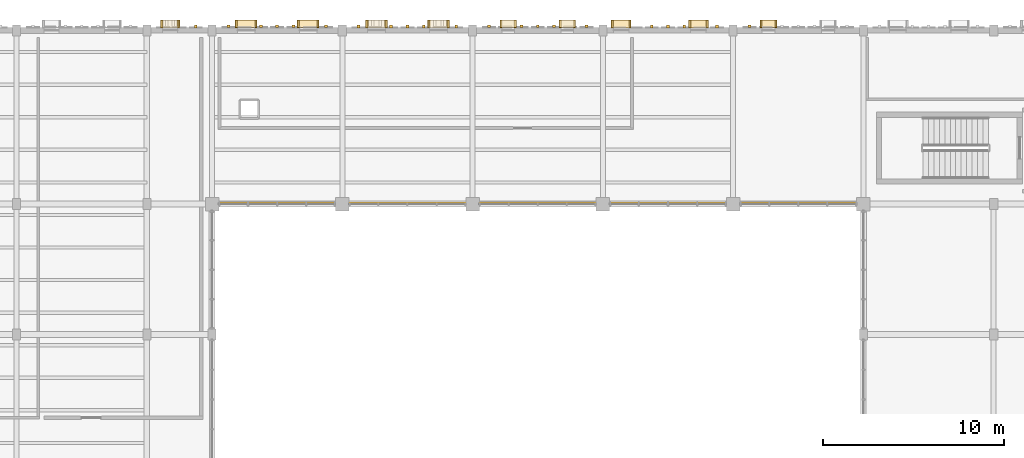
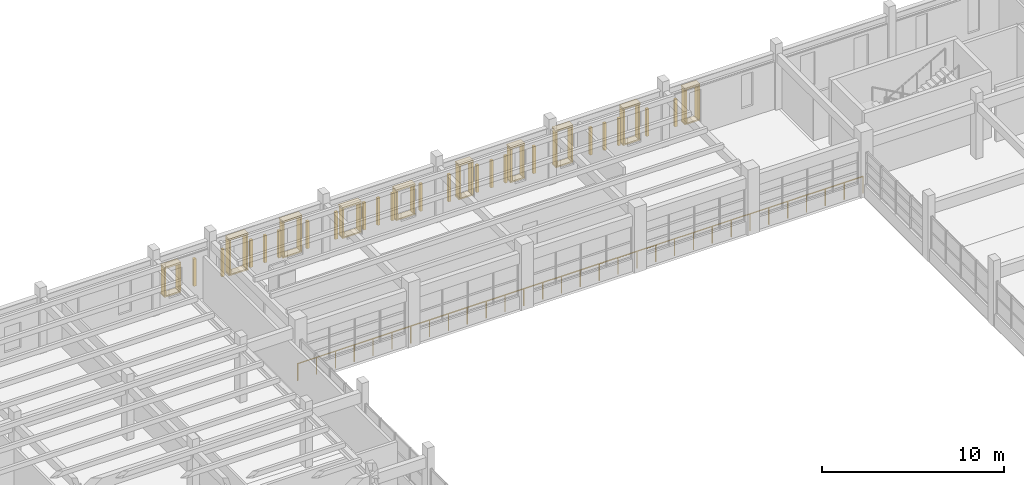
# One storey, part 56 of 69: 61 coverings, 1 railing.
"""IFC4 building model written with IfcOpenShell, lengths in metres."""

from ifc_helpers import new_model, si_unit, direction, frame, origin, origin_2d, place, context, subcontext, project, spatial, rectangle, circle, extrude, material, layer, layer_set, type_object, element, save


model = new_model("IFC4")

# Units and contexts
model_context = context("Model", 3, precision=1e-05, world=origin(), true_north=direction((0.0, 1.0)))
body_context = subcontext(model_context, "Body", "Model", "MODEL_VIEW")
ifc_project = project(units=[si_unit("LENGTHUNIT", "METRE"), si_unit("AREAUNIT", "SQUARE_METRE"), si_unit("VOLUMEUNIT", "CUBIC_METRE"), si_unit("PLANEANGLEUNIT", "RADIAN"), si_unit("MASSUNIT", "GRAM", prefix="KILO")], contexts=[model_context])

# Site, building, storey
site_placement = place(None, origin())
site = spatial("IfcSite", under=ifc_project, at=site_placement, CompositionType="ELEMENT")
building_placement = place(site_placement, origin())
building = spatial("IfcBuilding", under=site, at=building_placement, Name="Nzembalo Square Collegiate School", CompositionType="ELEMENT")
storey_placement = place(building_placement, frame((0.0, 0.0, 5.10009765625)))
storey = spatial("IfcBuildingStorey", under=building, at=storey_placement, Name="L01", CompositionType="ELEMENT", Elevation=5.10009765625)

# Coverings
ifc_material_1 = material(Name="Glazed ochre ceramic lancet rib")
ifc_layer_1 = layer(ifc_material_1, 0.159912109375, Name="Glazed ochre ceramic lancet rib")
ifc_layer_set_1 = layer_set([ifc_layer_1], Name="Glazed ochre ceramic lancet rib")
covering_type_1 = type_object("IfcCoveringType", Name="CL02", PredefinedType="CLADDING", material=ifc_layer_set_1)
for number, where, z_axis, x_axis, name in (
    (1, (39.89990234375, 114.219970703125, 0.760009765625), (0.0, 0.0, 1.0), (1.0, 0.0, 0.0), "Gothic ceramic rib CL02-X0119-2"),
    (2, (41.699951171875, 114.22998046875, 0.760009765625), (0.0, 0.0, 1.0), (1.0, 0.0, 0.0), "Gothic ceramic rib CL02-X0120-0"),
    (3, (43.5, 114.22998046875, 0.760009765625), (0.0, 0.0, 1.0), (1.0, 0.0, 0.0), "Gothic ceramic rib CL02-X0120-2"),
    (4, (44.39990234375, 114.22998046875, 0.760009765625), (0.0, 0.0, 1.0), (1.0, 0.0, 0.0), "Gothic ceramic rib CL02-X0120-3"),
    (5, (45.300048828125, 114.22998046875, 0.760009765625), (0.0, 0.0, 1.0), (1.0, 0.0, 0.0), "Gothic ceramic rib CL02-X0120-4"),
    (6, (47.10009765625, 114.22998046875, 0.760009765625), (0.0, 0.0, 1.0), (1.0, 0.0, 0.0), "Gothic ceramic rib CL02-X0120-6"),
    (7, (48.89990234375, 114.219970703125, 0.760009765625), (0.0, 0.0, 1.0), (1.0, 0.0, 0.0), "Gothic ceramic rib CL02-X0121-0"),
    (8, (50.699951171875, 114.219970703125, 0.760009765625), (0.0, 0.0, 1.0), (1.0, 0.0, 0.0), "Gothic ceramic rib CL02-X0121-2"),
    (9, (51.60009765625, 114.219970703125, 0.760009765625), (0.0, 0.0, 1.0), (1.0, 0.0, 0.0), "Gothic ceramic rib CL02-X0121-3"),
    (10, (52.5, 114.219970703125, 0.760009765625), (0.0, 0.0, 1.0), (1.0, 0.0, 0.0), "Gothic ceramic rib CL02-X0121-4"),
    (11, (54.300048828125, 114.219970703125, 0.760009765625), (0.0, 0.0, 1.0), (1.0, 0.0, 0.0), "Gothic ceramic rib CL02-X0121-6"),
    (12, (56.10009765625, 114.22998046875, 0.760009765625), (0.0, 0.0, 1.0), (1.0, 0.0, 0.0), "Gothic ceramic rib CL02-X0122-0"),
    (13, (57.89990234375, 114.22998046875, 0.760009765625), (0.0, 0.0, 1.0), (1.0, 0.0, 0.0), "Gothic ceramic rib CL02-X0122-2"),
    (14, (58.800048828125, 114.22998046875, 0.760009765625), (0.0, 0.0, 1.0), (1.0, 0.0, 0.0), "Gothic ceramic rib CL02-X0122-3"),
    (15, (59.699951171875, 114.22998046875, 0.760009765625), (0.0, 0.0, 1.0), (1.0, 0.0, 0.0), "Gothic ceramic rib CL02-X0122-4"),
    (16, (61.5, 114.22998046875, 0.760009765625), (0.0, 0.0, 1.0), (1.0, 0.0, 0.0), "Gothic ceramic rib CL02-X0122-6"),
    (17, (65.10009765625, 114.219970703125, 0.760009765625), (0.0, 0.0, 1.0), (1.0, 0.0, 0.0), "Gothic ceramic rib CL02-X0123-2"),
    (18, (66.0, 114.219970703125, 0.760009765625), (0.0, 0.0, 1.0), (1.0, 0.0, 0.0), "Gothic ceramic rib CL02-X0123-3"),
    (19, (66.89990234375, 114.219970703125, 0.760009765625), (0.0, 0.0, 1.0), (1.0, 0.0, 0.0), "Gothic ceramic rib CL02-X0123-4"),
    (20, (68.699951171875, 114.219970703125, 0.760009765625), (0.0, 0.0, 1.0), (1.0, 0.0, 0.0), "Gothic ceramic rib CL02-X0123-6"),
    (21, (70.5, 114.22998046875, 0.760009765625), (0.0, 0.0, 1.0), (1.0, 0.0, 0.0), "Gothic ceramic rib CL02-X0124-0"),
):
    element("IfcCovering", number, at=place(storey_placement, frame(where, z_axis=z_axis, x_axis=x_axis)), inside=storey, type_object=covering_type_1, Name=name, PredefinedType="CLADDING", context=body_context, shape_type="SweptSolid", body=[
        extrude(rectangle(XDim=0.159912109375, YDim=0.159912109375, at=origin_2d()), origin(), (0.0, 0.0, 1.0), 1.833984375),
    ])
ifc_material_2 = material(Name="Glazed celadon ceramic window frame")
ifc_layer_2 = layer(ifc_material_2, 0.419921875, Name="Glazed celadon ceramic window frame")
ifc_layer_set_2 = layer_set([ifc_layer_2], Name="Glazed celadon ceramic window frame")
covering_type_2 = type_object("IfcCoveringType", Name="WF01", PredefinedType="CLADDING", material=ifc_layer_set_2)
covering_1_placement = place(storey_placement, frame((38.485595703125, 114.35498046875, 2.57470703125), z_axis=(0.0, 0.0, 1.0), x_axis=(1.0, 0.0, 0.0)))
element("IfcCovering", 22, at=covering_1_placement, inside=storey, type_object=covering_type_2, Name="Deep lancet window hood WF01-0260", PredefinedType="CLADDING", context=body_context, shape_type="SweptSolid", body=[
    extrude(rectangle(XDim=1.06005859375, YDim=0.419921875, at=origin_2d()), origin(), (0.0, 0.0, 1.0), 0.110107421875),
])
covering_2_placement = place(storey_placement, frame((38.485595703125, 114.35498046875, 0.65478515625), z_axis=(0.0, 0.0, 1.0), x_axis=(1.0, 0.0, 0.0)))
element("IfcCovering", 23, at=covering_2_placement, inside=storey, type_object=covering_type_2, Name="Deep lancet window sill WF01-0260", PredefinedType="CLADDING", context=body_context, shape_type="SweptSolid", body=[
    extrude(rectangle(XDim=1.06005859375, YDim=0.419921875, at=origin_2d()), origin(), (0.0, 0.0, 1.0), 0.090087890625),
])
for number, where, z_axis, x_axis, name in (
    (24, (38.020751953125, 114.35498046875, 0.75), (0.0, 0.0, 1.0), (1.0, 0.0, 0.0), "Deep lancet window jamb WF01-0260L"),
    (25, (38.95068359375, 114.35498046875, 0.75), (0.0, 0.0, 1.0), (1.0, 0.0, 0.0), "Deep lancet window jamb WF01-0260R"),
):
    element("IfcCovering", number, at=place(storey_placement, frame(where, z_axis=z_axis, x_axis=x_axis)), inside=storey, type_object=covering_type_2, Name=name, PredefinedType="CLADDING", context=body_context, shape_type="SweptSolid", body=[
        extrude(rectangle(XDim=0.10009765625, YDim=0.419921875, at=origin_2d()), origin(), (0.0, 0.0, 1.0), 1.820068359375),
    ])
covering_3_placement = place(storey_placement, frame((42.6884765625, 114.364990234375, 3.03466796875), z_axis=(0.0, 0.0, 1.0), x_axis=(1.0, 0.0, 0.0)))
element("IfcCovering", 26, at=covering_3_placement, inside=storey, type_object=covering_type_2, Name="Deep lancet window hood WF01-0261", PredefinedType="CLADDING", context=body_context, shape_type="SweptSolid", body=[
    extrude(rectangle(XDim=1.219970703125, YDim=0.419921875, at=origin_2d()), origin(), (0.0, 0.0, 1.0), 0.110107421875),
])
covering_4_placement = place(storey_placement, frame((42.6884765625, 114.364990234375, 0.65478515625), z_axis=(0.0, 0.0, 1.0), x_axis=(1.0, 0.0, 0.0)))
element("IfcCovering", 27, at=covering_4_placement, inside=storey, type_object=covering_type_2, Name="Deep lancet window sill WF01-0261", PredefinedType="CLADDING", context=body_context, shape_type="SweptSolid", body=[
    extrude(rectangle(XDim=1.219970703125, YDim=0.419921875, at=origin_2d()), origin(), (0.0, 0.0, 1.0), 0.090087890625),
])
for number, where, z_axis, x_axis, name in (
    (28, (42.1435546875, 114.364990234375, 0.75), (0.0, 0.0, 1.0), (1.0, 0.0, 0.0), "Deep lancet window jamb WF01-0261L"),
    (29, (43.2333984375, 114.364990234375, 0.75), (0.0, 0.0, 1.0), (1.0, 0.0, 0.0), "Deep lancet window jamb WF01-0261R"),
):
    element("IfcCovering", number, at=place(storey_placement, frame(where, z_axis=z_axis, x_axis=x_axis)), inside=storey, type_object=covering_type_2, Name=name, PredefinedType="CLADDING", context=body_context, shape_type="SweptSolid", body=[
        extrude(rectangle(XDim=0.10009765625, YDim=0.419921875, at=origin_2d()), origin(), (0.0, 0.0, 1.0), 2.280029296875),
    ])
covering_5_placement = place(storey_placement, frame((46.111572265625, 114.364990234375, 3.03466796875), z_axis=(0.0, 0.0, 1.0), x_axis=(1.0, 0.0, 0.0)))
element("IfcCovering", 30, at=covering_5_placement, inside=storey, type_object=covering_type_2, Name="Deep lancet window hood WF01-0262", PredefinedType="CLADDING", context=body_context, shape_type="SweptSolid", body=[
    extrude(rectangle(XDim=1.219970703125, YDim=0.419921875, at=origin_2d()), origin(), (0.0, 0.0, 1.0), 0.110107421875),
])
covering_6_placement = place(storey_placement, frame((46.111572265625, 114.364990234375, 0.65478515625), z_axis=(0.0, 0.0, 1.0), x_axis=(1.0, 0.0, 0.0)))
element("IfcCovering", 31, at=covering_6_placement, inside=storey, type_object=covering_type_2, Name="Deep lancet window sill WF01-0262", PredefinedType="CLADDING", context=body_context, shape_type="SweptSolid", body=[
    extrude(rectangle(XDim=1.219970703125, YDim=0.419921875, at=origin_2d()), origin(), (0.0, 0.0, 1.0), 0.090087890625),
])
for number, where, z_axis, x_axis, name in (
    (32, (45.56640625, 114.364990234375, 0.75), (0.0, 0.0, 1.0), (1.0, 0.0, 0.0), "Deep lancet window jamb WF01-0262L"),
    (33, (46.656494140625, 114.364990234375, 0.75), (0.0, 0.0, 1.0), (1.0, 0.0, 0.0), "Deep lancet window jamb WF01-0262R"),
):
    element("IfcCovering", number, at=place(storey_placement, frame(where, z_axis=z_axis, x_axis=x_axis)), inside=storey, type_object=covering_type_2, Name=name, PredefinedType="CLADDING", context=body_context, shape_type="SweptSolid", body=[
        extrude(rectangle(XDim=0.10009765625, YDim=0.419921875, at=origin_2d()), origin(), (0.0, 0.0, 1.0), 2.280029296875),
    ])
covering_7_placement = place(storey_placement, frame((49.888427734375, 114.35498046875, 2.634765625), z_axis=(0.0, 0.0, 1.0), x_axis=(1.0, 0.0, 0.0)))
element("IfcCovering", 34, at=covering_7_placement, inside=storey, type_object=covering_type_2, Name="Deep lancet window hood WF01-0263", PredefinedType="CLADDING", context=body_context, shape_type="SweptSolid", body=[
    extrude(rectangle(XDim=1.219970703125, YDim=0.419921875, at=origin_2d()), origin(), (0.0, 0.0, 1.0), 0.110107421875),
])
covering_8_placement = place(storey_placement, frame((49.888427734375, 114.35498046875, 0.65478515625), z_axis=(0.0, 0.0, 1.0), x_axis=(1.0, 0.0, 0.0)))
element("IfcCovering", 35, at=covering_8_placement, inside=storey, type_object=covering_type_2, Name="Deep lancet window sill WF01-0263", PredefinedType="CLADDING", context=body_context, shape_type="SweptSolid", body=[
    extrude(rectangle(XDim=1.219970703125, YDim=0.419921875, at=origin_2d()), origin(), (0.0, 0.0, 1.0), 0.090087890625),
])
for number, where, z_axis, x_axis, name in (
    (36, (49.343505859375, 114.35498046875, 0.75), (0.0, 0.0, 1.0), (1.0, 0.0, 0.0), "Deep lancet window jamb WF01-0263L"),
    (37, (50.43359375, 114.35498046875, 0.75), (0.0, 0.0, 1.0), (1.0, 0.0, 0.0), "Deep lancet window jamb WF01-0263R"),
):
    element("IfcCovering", number, at=place(storey_placement, frame(where, z_axis=z_axis, x_axis=x_axis)), inside=storey, type_object=covering_type_2, Name=name, PredefinedType="CLADDING", context=body_context, shape_type="SweptSolid", body=[
        extrude(rectangle(XDim=0.10009765625, YDim=0.419921875, at=origin_2d()), origin(), (0.0, 0.0, 1.0), 1.8798828125),
    ])
covering_9_placement = place(storey_placement, frame((53.3115234375, 114.35498046875, 2.634765625), z_axis=(0.0, 0.0, 1.0), x_axis=(1.0, 0.0, 0.0)))
element("IfcCovering", 38, at=covering_9_placement, inside=storey, type_object=covering_type_2, Name="Deep lancet window hood WF01-0264", PredefinedType="CLADDING", context=body_context, shape_type="SweptSolid", body=[
    extrude(rectangle(XDim=1.219970703125, YDim=0.419921875, at=origin_2d()), origin(), (0.0, 0.0, 1.0), 0.110107421875),
])
covering_10_placement = place(storey_placement, frame((53.3115234375, 114.35498046875, 0.65478515625), z_axis=(0.0, 0.0, 1.0), x_axis=(1.0, 0.0, 0.0)))
element("IfcCovering", 39, at=covering_10_placement, inside=storey, type_object=covering_type_2, Name="Deep lancet window sill WF01-0264", PredefinedType="CLADDING", context=body_context, shape_type="SweptSolid", body=[
    extrude(rectangle(XDim=1.219970703125, YDim=0.419921875, at=origin_2d()), origin(), (0.0, 0.0, 1.0), 0.090087890625),
])
for number, where, z_axis, x_axis, name in (
    (40, (52.7666015625, 114.35498046875, 0.75), (0.0, 0.0, 1.0), (1.0, 0.0, 0.0), "Deep lancet window jamb WF01-0264L"),
    (41, (53.8564453125, 114.35498046875, 0.75), (0.0, 0.0, 1.0), (1.0, 0.0, 0.0), "Deep lancet window jamb WF01-0264R"),
):
    element("IfcCovering", number, at=place(storey_placement, frame(where, z_axis=z_axis, x_axis=x_axis)), inside=storey, type_object=covering_type_2, Name=name, PredefinedType="CLADDING", context=body_context, shape_type="SweptSolid", body=[
        extrude(rectangle(XDim=0.10009765625, YDim=0.419921875, at=origin_2d()), origin(), (0.0, 0.0, 1.0), 1.8798828125),
    ])
covering_11_placement = place(storey_placement, frame((57.16357421875, 114.364990234375, 2.9150390625), z_axis=(0.0, 0.0, 1.0), x_axis=(1.0, 0.0, 0.0)))
element("IfcCovering", 42, at=covering_11_placement, inside=storey, type_object=covering_type_2, Name="Deep lancet window hood WF01-0280", PredefinedType="CLADDING", context=body_context, shape_type="SweptSolid", body=[
    extrude(rectangle(XDim=0.919921875, YDim=0.419921875, at=origin_2d()), origin(), (0.0, 0.0, 1.0), 0.110107421875),
])
covering_12_placement = place(storey_placement, frame((57.16357421875, 114.364990234375, 0.65478515625), z_axis=(0.0, 0.0, 1.0), x_axis=(1.0, 0.0, 0.0)))
element("IfcCovering", 43, at=covering_12_placement, inside=storey, type_object=covering_type_2, Name="Deep lancet window sill WF01-0280", PredefinedType="CLADDING", context=body_context, shape_type="SweptSolid", body=[
    extrude(rectangle(XDim=0.919921875, YDim=0.419921875, at=origin_2d()), origin(), (0.0, 0.0, 1.0), 0.090087890625),
])
for number, where, z_axis, x_axis, name in (
    (44, (56.7685546875, 114.364990234375, 0.75), (0.0, 0.0, 1.0), (1.0, 0.0, 0.0), "Deep lancet window jamb WF01-0280L"),
    (45, (57.55859375, 114.364990234375, 0.75), (0.0, 0.0, 1.0), (1.0, 0.0, 0.0), "Deep lancet window jamb WF01-0280R"),
):
    element("IfcCovering", number, at=place(storey_placement, frame(where, z_axis=z_axis, x_axis=x_axis)), inside=storey, type_object=covering_type_2, Name=name, PredefinedType="CLADDING", context=body_context, shape_type="SweptSolid", body=[
        extrude(rectangle(XDim=0.10009765625, YDim=0.419921875, at=origin_2d()), origin(), (0.0, 0.0, 1.0), 2.159912109375),
    ])
covering_13_placement = place(storey_placement, frame((60.4365234375, 114.364990234375, 2.9150390625), z_axis=(0.0, 0.0, 1.0), x_axis=(1.0, 0.0, 0.0)))
element("IfcCovering", 46, at=covering_13_placement, inside=storey, type_object=covering_type_2, Name="Deep lancet window hood WF01-0281", PredefinedType="CLADDING", context=body_context, shape_type="SweptSolid", body=[
    extrude(rectangle(XDim=0.919921875, YDim=0.419921875, at=origin_2d()), origin(), (0.0, 0.0, 1.0), 0.110107421875),
])
covering_14_placement = place(storey_placement, frame((60.4365234375, 114.364990234375, 0.65478515625), z_axis=(0.0, 0.0, 1.0), x_axis=(1.0, 0.0, 0.0)))
element("IfcCovering", 47, at=covering_14_placement, inside=storey, type_object=covering_type_2, Name="Deep lancet window sill WF01-0281", PredefinedType="CLADDING", context=body_context, shape_type="SweptSolid", body=[
    extrude(rectangle(XDim=0.919921875, YDim=0.419921875, at=origin_2d()), origin(), (0.0, 0.0, 1.0), 0.090087890625),
])
for number, where, z_axis, x_axis, name in (
    (48, (60.04150390625, 114.364990234375, 0.75), (0.0, 0.0, 1.0), (1.0, 0.0, 0.0), "Deep lancet window jamb WF01-0281L"),
    (49, (60.83154296875, 114.364990234375, 0.75), (0.0, 0.0, 1.0), (1.0, 0.0, 0.0), "Deep lancet window jamb WF01-0281R"),
):
    element("IfcCovering", number, at=place(storey_placement, frame(where, z_axis=z_axis, x_axis=x_axis)), inside=storey, type_object=covering_type_2, Name=name, PredefinedType="CLADDING", context=body_context, shape_type="SweptSolid", body=[
        extrude(rectangle(XDim=0.10009765625, YDim=0.419921875, at=origin_2d()), origin(), (0.0, 0.0, 1.0), 2.159912109375),
    ])
covering_15_placement = place(storey_placement, frame((63.409912109375, 114.35498046875, 3.07470703125), z_axis=(0.0, 0.0, 1.0), x_axis=(1.0, 0.0, 0.0)))
element("IfcCovering", 50, at=covering_15_placement, inside=storey, type_object=covering_type_2, Name="Deep lancet window hood WF01-0282", PredefinedType="CLADDING", context=body_context, shape_type="SweptSolid", body=[
    extrude(rectangle(XDim=1.10009765625, YDim=0.419921875, at=origin_2d()), origin(), (0.0, 0.0, 1.0), 0.110107421875),
])
covering_16_placement = place(storey_placement, frame((63.409912109375, 114.35498046875, 0.65478515625), z_axis=(0.0, 0.0, 1.0), x_axis=(1.0, 0.0, 0.0)))
element("IfcCovering", 51, at=covering_16_placement, inside=storey, type_object=covering_type_2, Name="Deep lancet window sill WF01-0282", PredefinedType="CLADDING", context=body_context, shape_type="SweptSolid", body=[
    extrude(rectangle(XDim=1.10009765625, YDim=0.419921875, at=origin_2d()), origin(), (0.0, 0.0, 1.0), 0.090087890625),
])
for number, where, z_axis, x_axis, name in (
    (52, (62.925048828125, 114.35498046875, 0.75), (0.0, 0.0, 1.0), (1.0, 0.0, 0.0), "Deep lancet window jamb WF01-0282L"),
    (53, (63.89501953125, 114.35498046875, 0.75), (0.0, 0.0, 1.0), (1.0, 0.0, 0.0), "Deep lancet window jamb WF01-0282R"),
):
    element("IfcCovering", number, at=place(storey_placement, frame(where, z_axis=z_axis, x_axis=x_axis)), inside=storey, type_object=covering_type_2, Name=name, PredefinedType="CLADDING", context=body_context, shape_type="SweptSolid", body=[
        extrude(rectangle(XDim=0.10009765625, YDim=0.419921875, at=origin_2d()), origin(), (0.0, 0.0, 1.0), 2.320068359375),
    ])
covering_17_placement = place(storey_placement, frame((67.681396484375, 114.35498046875, 3.07470703125), z_axis=(0.0, 0.0, 1.0), x_axis=(1.0, 0.0, 0.0)))
element("IfcCovering", 54, at=covering_17_placement, inside=storey, type_object=covering_type_2, Name="Deep lancet window hood WF01-0283", PredefinedType="CLADDING", context=body_context, shape_type="SweptSolid", body=[
    extrude(rectangle(XDim=1.10009765625, YDim=0.419921875, at=origin_2d()), origin(), (0.0, 0.0, 1.0), 0.110107421875),
])
covering_18_placement = place(storey_placement, frame((67.681396484375, 114.35498046875, 0.65478515625), z_axis=(0.0, 0.0, 1.0), x_axis=(1.0, 0.0, 0.0)))
element("IfcCovering", 55, at=covering_18_placement, inside=storey, type_object=covering_type_2, Name="Deep lancet window sill WF01-0283", PredefinedType="CLADDING", context=body_context, shape_type="SweptSolid", body=[
    extrude(rectangle(XDim=1.10009765625, YDim=0.419921875, at=origin_2d()), origin(), (0.0, 0.0, 1.0), 0.090087890625),
])
for number, where, z_axis, x_axis, name in (
    (56, (67.196533203125, 114.35498046875, 0.75), (0.0, 0.0, 1.0), (1.0, 0.0, 0.0), "Deep lancet window jamb WF01-0283L"),
    (57, (68.16650390625, 114.35498046875, 0.75), (0.0, 0.0, 1.0), (1.0, 0.0, 0.0), "Deep lancet window jamb WF01-0283R"),
):
    element("IfcCovering", number, at=place(storey_placement, frame(where, z_axis=z_axis, x_axis=x_axis)), inside=storey, type_object=covering_type_2, Name=name, PredefinedType="CLADDING", context=body_context, shape_type="SweptSolid", body=[
        extrude(rectangle(XDim=0.10009765625, YDim=0.419921875, at=origin_2d()), origin(), (0.0, 0.0, 1.0), 2.320068359375),
    ])
covering_19_placement = place(storey_placement, frame((71.553466796875, 114.364990234375, 2.99462890625), z_axis=(0.0, 0.0, 1.0), x_axis=(1.0, 0.0, 0.0)))
element("IfcCovering", 58, at=covering_19_placement, inside=storey, type_object=covering_type_2, Name="Deep lancet window hood WF01-0288", PredefinedType="CLADDING", context=body_context, shape_type="SweptSolid", body=[
    extrude(rectangle(XDim=0.9599609375, YDim=0.419921875, at=origin_2d()), origin(), (0.0, 0.0, 1.0), 0.110107421875),
])
covering_20_placement = place(storey_placement, frame((71.553466796875, 114.364990234375, 0.65478515625), z_axis=(0.0, 0.0, 1.0), x_axis=(1.0, 0.0, 0.0)))
element("IfcCovering", 59, at=covering_20_placement, inside=storey, type_object=covering_type_2, Name="Deep lancet window sill WF01-0288", PredefinedType="CLADDING", context=body_context, shape_type="SweptSolid", body=[
    extrude(rectangle(XDim=0.9599609375, YDim=0.419921875, at=origin_2d()), origin(), (0.0, 0.0, 1.0), 0.090087890625),
])
for number, where, z_axis, x_axis, name in (
    (60, (71.138427734375, 114.364990234375, 0.75), (0.0, 0.0, 1.0), (1.0, 0.0, 0.0), "Deep lancet window jamb WF01-0288L"),
    (61, (71.968505859375, 114.364990234375, 0.75), (0.0, 0.0, 1.0), (1.0, 0.0, 0.0), "Deep lancet window jamb WF01-0288R"),
):
    element("IfcCovering", number, at=place(storey_placement, frame(where, z_axis=z_axis, x_axis=x_axis)), inside=storey, type_object=covering_type_2, Name=name, PredefinedType="CLADDING", context=body_context, shape_type="SweptSolid", body=[
        extrude(rectangle(XDim=0.10009765625, YDim=0.419921875, at=origin_2d()), origin(), (0.0, 0.0, 1.0), 2.239990234375),
    ])

# Railing
ifc_material_3 = material(Name="Steel S355", Category="steel")
railing_type = type_object("IfcRailingType", Name="BL01", PredefinedType="BALUSTRADE", material=ifc_material_3)
railing_placement = place(storey_placement, frame((40.820068359375, 104.419921875, 0.0)))
element("IfcRailing", 62, at=railing_placement, inside=storey, type_object=railing_type, Name="Terrace balustrade BL-04A", PredefinedType="BALUSTRADE", context=body_context, shape_type="SweptSolid", body=[
    extrude(circle(Radius=0.02392578125, at=origin_2d()), frame((0.0, 0.0, 1.1259765625), z_axis=(1.0, 0.0, 0.0), x_axis=(0.0, 1.0, 0.0)), (0.0, 0.0, 1.0), 35.9599609375),
    extrude(circle(Radius=0.02099609375, at=origin_2d()), origin(), (0.0, 0.0, 1.0), 1.101806640625),
    extrude(circle(Radius=0.02099609375, at=origin_2d()), frame((1.19873046875, 0.0, 0.0)), (0.0, 0.0, 1.0), 1.101806640625),
    extrude(circle(Radius=0.02099609375, at=origin_2d()), frame((2.397216796875, 0.0, 0.0)), (0.0, 0.0, 1.0), 1.101806640625),
    extrude(circle(Radius=0.02099609375, at=origin_2d()), frame((3.595947265625, 0.0, 0.0)), (0.0, 0.0, 1.0), 1.101806640625),
    extrude(circle(Radius=0.02099609375, at=origin_2d()), frame((4.794677734375, 0.0, 0.0)), (0.0, 0.0, 1.0), 1.101806640625),
    extrude(circle(Radius=0.02099609375, at=origin_2d()), frame((5.993408203125, 0.0, 0.0)), (0.0, 0.0, 1.0), 1.101806640625),
    extrude(circle(Radius=0.02099609375, at=origin_2d()), frame((7.19189453125, 0.0, 0.0)), (0.0, 0.0, 1.0), 1.101806640625),
    extrude(circle(Radius=0.02099609375, at=origin_2d()), frame((8.390625, 0.0, 0.0)), (0.0, 0.0, 1.0), 1.101806640625),
    extrude(circle(Radius=0.02099609375, at=origin_2d()), frame((9.58935546875, 0.0, 0.0)), (0.0, 0.0, 1.0), 1.101806640625),
    extrude(circle(Radius=0.02099609375, at=origin_2d()), frame((10.7880859375, 0.0, 0.0)), (0.0, 0.0, 1.0), 1.101806640625),
    extrude(circle(Radius=0.02099609375, at=origin_2d()), frame((11.986572265625, 0.0, 0.0)), (0.0, 0.0, 1.0), 1.101806640625),
    extrude(circle(Radius=0.02099609375, at=origin_2d()), frame((13.185302734375, 0.0, 0.0)), (0.0, 0.0, 1.0), 1.101806640625),
    extrude(circle(Radius=0.02099609375, at=origin_2d()), frame((14.384033203125, 0.0, 0.0)), (0.0, 0.0, 1.0), 1.101806640625),
    extrude(circle(Radius=0.02099609375, at=origin_2d()), frame((15.582763671875, 0.0, 0.0)), (0.0, 0.0, 1.0), 1.101806640625),
    extrude(circle(Radius=0.02099609375, at=origin_2d()), frame((16.78125, 0.0, 0.0)), (0.0, 0.0, 1.0), 1.101806640625),
    extrude(circle(Radius=0.02099609375, at=origin_2d()), frame((17.97998046875, 0.0, 0.0)), (0.0, 0.0, 1.0), 1.101806640625),
    extrude(circle(Radius=0.02099609375, at=origin_2d()), frame((19.1787109375, 0.0, 0.0)), (0.0, 0.0, 1.0), 1.101806640625),
    extrude(circle(Radius=0.02099609375, at=origin_2d()), frame((20.377197265625, 0.0, 0.0)), (0.0, 0.0, 1.0), 1.101806640625),
    extrude(circle(Radius=0.02099609375, at=origin_2d()), frame((21.575927734375, 0.0, 0.0)), (0.0, 0.0, 1.0), 1.101806640625),
    extrude(circle(Radius=0.02099609375, at=origin_2d()), frame((22.774658203125, 0.0, 0.0)), (0.0, 0.0, 1.0), 1.101806640625),
    extrude(circle(Radius=0.02099609375, at=origin_2d()), frame((23.973388671875, 0.0, 0.0)), (0.0, 0.0, 1.0), 1.101806640625),
    extrude(circle(Radius=0.02099609375, at=origin_2d()), frame((25.171875, 0.0, 0.0)), (0.0, 0.0, 1.0), 1.101806640625),
    extrude(circle(Radius=0.02099609375, at=origin_2d()), frame((26.37060546875, 0.0, 0.0)), (0.0, 0.0, 1.0), 1.101806640625),
    extrude(circle(Radius=0.02099609375, at=origin_2d()), frame((27.5693359375, 0.0, 0.0)), (0.0, 0.0, 1.0), 1.101806640625),
    extrude(circle(Radius=0.02099609375, at=origin_2d()), frame((28.76806640625, 0.0, 0.0)), (0.0, 0.0, 1.0), 1.101806640625),
    extrude(circle(Radius=0.02099609375, at=origin_2d()), frame((29.966552734375, 0.0, 0.0)), (0.0, 0.0, 1.0), 1.101806640625),
    extrude(circle(Radius=0.02099609375, at=origin_2d()), frame((31.165283203125, 0.0, 0.0)), (0.0, 0.0, 1.0), 1.101806640625),
    extrude(circle(Radius=0.02099609375, at=origin_2d()), frame((32.364013671875, 0.0, 0.0)), (0.0, 0.0, 1.0), 1.101806640625),
    extrude(circle(Radius=0.02099609375, at=origin_2d()), frame((33.562744140625, 0.0, 0.0)), (0.0, 0.0, 1.0), 1.101806640625),
    extrude(circle(Radius=0.02099609375, at=origin_2d()), frame((34.76123046875, 0.0, 0.0)), (0.0, 0.0, 1.0), 1.101806640625),
    extrude(circle(Radius=0.02099609375, at=origin_2d()), frame((35.9599609375, 0.0, 0.0)), (0.0, 0.0, 1.0), 1.101806640625),
])

save(model, "model.ifc")
